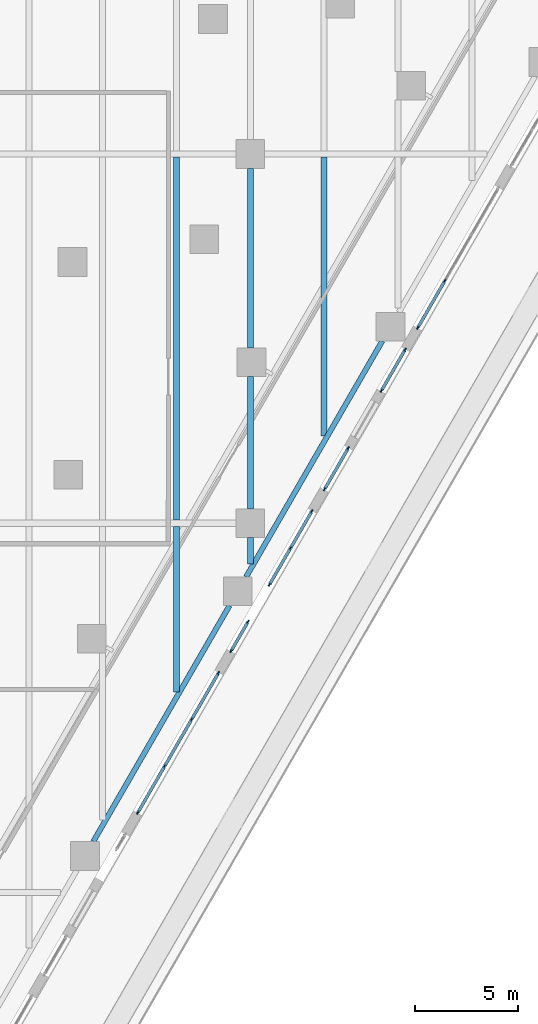
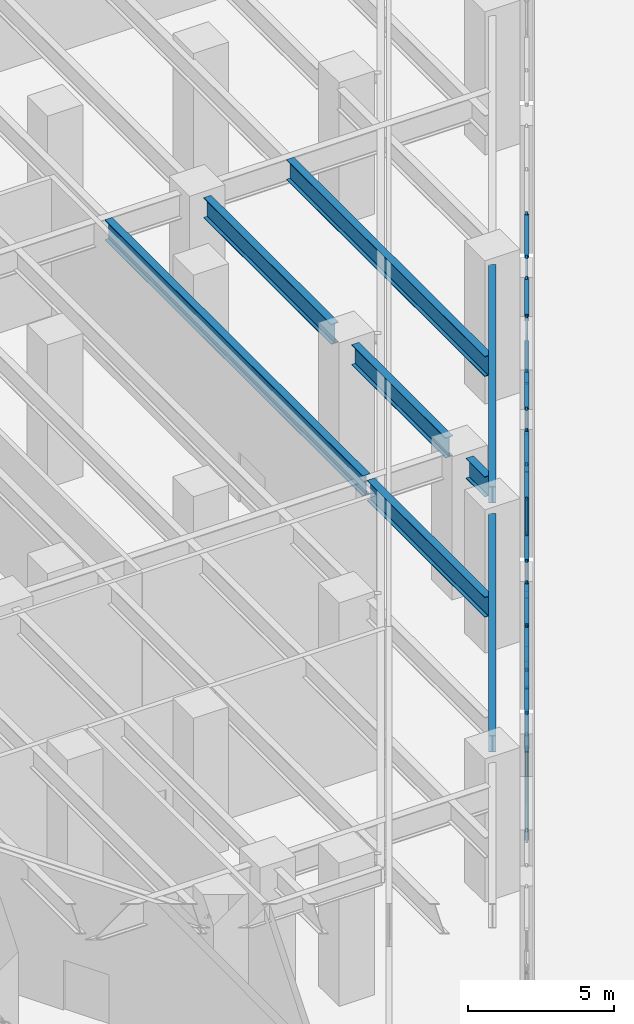
# One storey, part 8 of 40: 42 members, 8 beams, 6 elements without a shape of their own.
"""IFC4 building model written with IfcOpenShell, lengths in metres."""

from ifc_helpers import new_model, si_unit, direction, frame, origin, origin_2d, place, context, subcontext, project, spatial, rectangle, i_section, extrude, material, material_profile, profile_set, type_object, element, aggregate, save


model = new_model("IFC4")

# Units and contexts
model_context = context("Model", 3, precision=1e-05, world=origin(), true_north=direction((0.0, 1.0)))
body_context = subcontext(model_context, "Body", "Model", "MODEL_VIEW")
ifc_project = project(units=[si_unit("LENGTHUNIT", "METRE"), si_unit("AREAUNIT", "SQUARE_METRE"), si_unit("VOLUMEUNIT", "CUBIC_METRE"), si_unit("PLANEANGLEUNIT", "RADIAN"), si_unit("MASSUNIT", "GRAM", prefix="KILO")], contexts=[model_context])

# Site, building, storey
site_placement = place(None, origin())
site = spatial("IfcSite", under=ifc_project, at=site_placement, CompositionType="ELEMENT")
building_placement = place(site_placement, origin())
building = spatial("IfcBuilding", under=site, at=building_placement, Name="Aloe Facet Convention Tower", CompositionType="ELEMENT")
storey_placement = place(building_placement, frame((0.0, 0.0, 13.5)))
storey = spatial("IfcBuildingStorey", under=building, at=storey_placement, Name="L02", CompositionType="ELEMENT", Elevation=13.5)

# Curtain wall, members
ifc_material_1 = material(Name="Aluminium, anodised", Category="aluminium")
curtain_wall_type = type_object("IfcCurtainWallType", Name="EV-CW-HALL", PredefinedType="USERDEFINED", material=ifc_material_1)
curtain_wall_1_placement = place(storey_placement, origin())
curtain_wall_1 = element("IfcCurtainWall", 1, at=curtain_wall_1_placement, inside=storey, type_object=curtain_wall_type, Name="CW-L02-E06", ObjectType="UNITISED HALL GLAZING", PredefinedType="USERDEFINED")
ifc_material_2 = material(Name="Aluminium, anodised", Category="aluminium")
ifc_material_profile_1 = material_profile(ifc_material_2, rectangle(XDim=0.06494140625, YDim=0.199951171875, at=origin_2d()), Name="AL 65x200")
ifc_profile_set_1 = profile_set([ifc_material_profile_1], Name="Aluminium, anodised")
member_type_1 = type_object("IfcMemberType", Name="EV-MULL-HALL", PredefinedType="MULLION", material=ifc_profile_set_1)
member_1_placement = place(storey_placement, frame((92.520263671875, 66.90625, -0.300048828125), z_axis=(0.0, 0.0, 1.0), x_axis=(-0.866025403811, 0.499999999955, 0.0)))
member_1 = element("IfcMember", 2, at=member_1_placement, type_object=member_type_1, Name="CW-L02-E06 mullion 1", PredefinedType="MULLION", context=body_context, shape_type="SweptSolid", body=[
    extrude(rectangle(XDim=0.06494140625, YDim=0.199951171875, at=origin_2d()), origin(), (0.0, 0.0, 1.0), 5.362548828125),
])
member_2_placement = place(storey_placement, frame((93.8203125, 69.158203125, -0.300048828125), z_axis=(0.0, 0.0, 1.0), x_axis=(-0.866025403811, 0.499999999955, 0.0)))
member_2 = element("IfcMember", 3, at=member_2_placement, type_object=member_type_1, Name="CW-L02-E06 mullion 2", PredefinedType="MULLION", context=body_context, shape_type="SweptSolid", body=[
    extrude(rectangle(XDim=0.06494140625, YDim=0.199951171875, at=origin_2d()), origin(), (0.0, 0.0, 1.0), 5.362548828125),
])
member_3_placement = place(storey_placement, frame((95.136962890625, 71.4384765625, -0.300048828125), z_axis=(0.0, 0.0, 1.0), x_axis=(-0.866025403811, 0.499999999955, 0.0)))
member_3 = element("IfcMember", 4, at=member_3_placement, type_object=member_type_1, Name="CW-L02-E06 mullion 3", PredefinedType="MULLION", context=body_context, shape_type="SweptSolid", body=[
    extrude(rectangle(XDim=0.06494140625, YDim=0.199951171875, at=origin_2d()), origin(), (0.0, 0.0, 1.0), 5.362548828125),
])
member_4_placement = place(storey_placement, frame((96.43701171875, 73.6904296875, -0.300048828125), z_axis=(0.0, 0.0, 1.0), x_axis=(-0.866025403811, 0.499999999955, 0.0)))
member_4 = element("IfcMember", 5, at=member_4_placement, type_object=member_type_1, Name="CW-L02-E06 mullion 4", PredefinedType="MULLION", context=body_context, shape_type="SweptSolid", body=[
    extrude(rectangle(XDim=0.06494140625, YDim=0.199951171875, at=origin_2d()), origin(), (0.0, 0.0, 1.0), 5.362548828125),
])

curtain_wall_2_placement = place(storey_placement, origin())
curtain_wall_2 = element("IfcCurtainWall", 6, at=curtain_wall_2_placement, inside=storey, type_object=curtain_wall_type, Name="CW-L02-E08-1", ObjectType="UNITISED HALL GLAZING", PredefinedType="USERDEFINED")
member_5_placement = place(storey_placement, frame((97.069580078125, 74.785888671875, -0.300048828125), z_axis=(0.0, 0.0, 1.0), x_axis=(-0.866025403732, 0.500000000091, 0.0)))
member_5 = element("IfcMember", 7, at=member_5_placement, type_object=member_type_1, Name="CW-L02-E08-1 mullion 1", PredefinedType="MULLION", context=body_context, shape_type="SweptSolid", body=[
    extrude(rectangle(XDim=0.06494140625, YDim=0.199951171875, at=origin_2d()), origin(), (0.0, 0.0, 1.0), 5.362548828125),
])
member_6_placement = place(storey_placement, frame((97.876220703125, 76.18310546875, -0.300048828125), z_axis=(0.0, 0.0, 1.0), x_axis=(-0.866025403732, 0.500000000091, 0.0)))
member_6 = element("IfcMember", 8, at=member_6_placement, type_object=member_type_1, Name="CW-L02-E08-1 mullion 2", PredefinedType="MULLION", context=body_context, shape_type="SweptSolid", body=[
    extrude(rectangle(XDim=0.06494140625, YDim=0.199951171875, at=origin_2d()), origin(), (0.0, 0.0, 1.0), 5.362548828125),
])

curtain_wall_3_placement = place(storey_placement, origin())
curtain_wall_3 = element("IfcCurtainWall", 9, at=curtain_wall_3_placement, inside=storey, type_object=curtain_wall_type, Name="CW-L02-E08-2", ObjectType="UNITISED HALL GLAZING", PredefinedType="USERDEFINED")
member_7_placement = place(storey_placement, frame((98.93310546875, 78.013916015625, -0.300048828125), z_axis=(0.0, 0.0, 1.0), x_axis=(-0.866025403819, 0.49999999994, 0.0)))
member_7 = element("IfcMember", 10, at=member_7_placement, type_object=member_type_1, Name="CW-L02-E08-2 mullion 1", PredefinedType="MULLION", context=body_context, shape_type="SweptSolid", body=[
    extrude(rectangle(XDim=0.06494140625, YDim=0.199951171875, at=origin_2d()), origin(), (0.0, 0.0, 1.0), 5.362548828125),
])
member_8_placement = place(storey_placement, frame((99.9599609375, 79.7919921875, -0.300048828125), z_axis=(0.0, 0.0, 1.0), x_axis=(-0.866025403819, 0.49999999994, 0.0)))
member_8 = element("IfcMember", 11, at=member_8_placement, type_object=member_type_1, Name="CW-L02-E08-2 mullion 2", PredefinedType="MULLION", context=body_context, shape_type="SweptSolid", body=[
    extrude(rectangle(XDim=0.06494140625, YDim=0.199951171875, at=origin_2d()), origin(), (0.0, 0.0, 1.0), 5.362548828125),
])
member_9_placement = place(storey_placement, frame((100.986572265625, 81.5703125, -0.300048828125), z_axis=(0.0, 0.0, 1.0), x_axis=(-0.866025403819, 0.49999999994, 0.0)))
member_9 = element("IfcMember", 12, at=member_9_placement, type_object=member_type_1, Name="CW-L02-E08-2 mullion 3", PredefinedType="MULLION", context=body_context, shape_type="SweptSolid", body=[
    extrude(rectangle(XDim=0.06494140625, YDim=0.199951171875, at=origin_2d()), origin(), (0.0, 0.0, 1.0), 5.362548828125),
])

curtain_wall_4_placement = place(storey_placement, origin())
curtain_wall_4 = element("IfcCurtainWall", 13, at=curtain_wall_4_placement, inside=storey, type_object=curtain_wall_type, Name="CW-L02-E10A", ObjectType="UNITISED HALL GLAZING", PredefinedType="USERDEFINED")
member_10_placement = place(storey_placement, frame((101.618896484375, 82.665771484375, -0.300048828125), z_axis=(0.0, 0.0, 1.0), x_axis=(-0.866025403654, 0.500000000227, 0.0)))
member_10 = element("IfcMember", 14, at=member_10_placement, type_object=member_type_1, Name="CW-L02-E10A mullion 1", PredefinedType="MULLION", context=body_context, shape_type="SweptSolid", body=[
    extrude(rectangle(XDim=0.06494140625, YDim=0.199951171875, at=origin_2d()), origin(), (0.0, 0.0, 1.0), 5.362548828125),
])
member_11_placement = place(storey_placement, frame((102.76123046875, 84.64404296875, -0.300048828125), z_axis=(0.0, 0.0, 1.0), x_axis=(-0.866025403654, 0.500000000227, 0.0)))
member_11 = element("IfcMember", 15, at=member_11_placement, type_object=member_type_1, Name="CW-L02-E10A mullion 2", PredefinedType="MULLION", context=body_context, shape_type="SweptSolid", body=[
    extrude(rectangle(XDim=0.06494140625, YDim=0.199951171875, at=origin_2d()), origin(), (0.0, 0.0, 1.0), 5.362548828125),
])

curtain_wall_5_placement = place(storey_placement, origin())
curtain_wall_5 = element("IfcCurtainWall", 16, at=curtain_wall_5_placement, inside=storey, type_object=curtain_wall_type, Name="CW-L02-E10B", ObjectType="UNITISED HALL GLAZING", PredefinedType="USERDEFINED")
member_12_placement = place(storey_placement, frame((104.393798828125, 87.4716796875, -0.300048828125), z_axis=(0.0, 0.0, 1.0), x_axis=(-0.866025403837, 0.499999999909, 0.0)))
member_12 = element("IfcMember", 17, at=member_12_placement, type_object=member_type_1, Name="CW-L02-E10B mullion 1", PredefinedType="MULLION", context=body_context, shape_type="SweptSolid", body=[
    extrude(rectangle(XDim=0.06494140625, YDim=0.199951171875, at=origin_2d()), origin(), (0.0, 0.0, 1.0), 5.362548828125),
])
member_13_placement = place(storey_placement, frame((105.535888671875, 89.449951171875, -0.300048828125), z_axis=(0.0, 0.0, 1.0), x_axis=(-0.866025403837, 0.499999999909, 0.0)))
member_13 = element("IfcMember", 18, at=member_13_placement, type_object=member_type_1, Name="CW-L02-E10B mullion 2", PredefinedType="MULLION", context=body_context, shape_type="SweptSolid", body=[
    extrude(rectangle(XDim=0.06494140625, YDim=0.199951171875, at=origin_2d()), origin(), (0.0, 0.0, 1.0), 5.362548828125),
])

curtain_wall_6_placement = place(storey_placement, origin())
curtain_wall_6 = element("IfcCurtainWall", 19, at=curtain_wall_6_placement, inside=storey, type_object=curtain_wall_type, Name="CW-L02-E12", ObjectType="UNITISED HALL GLAZING", PredefinedType="USERDEFINED")
member_14_placement = place(storey_placement, frame((106.16845703125, 90.54541015625, -0.300048828125), z_axis=(0.0, 0.0, 1.0), x_axis=(-0.866025403758, 0.500000000045, 0.0)))
member_14 = element("IfcMember", 20, at=member_14_placement, type_object=member_type_1, Name="CW-L02-E12 mullion 1", PredefinedType="MULLION", context=body_context, shape_type="SweptSolid", body=[
    extrude(rectangle(XDim=0.06494140625, YDim=0.199951171875, at=origin_2d()), origin(), (0.0, 0.0, 1.0), 5.362548828125),
])
member_15_placement = place(storey_placement, frame((107.468505859375, 92.797607421875, -0.300048828125), z_axis=(0.0, 0.0, 1.0), x_axis=(-0.866025403758, 0.500000000045, 0.0)))
member_15 = element("IfcMember", 21, at=member_15_placement, type_object=member_type_1, Name="CW-L02-E12 mullion 2", PredefinedType="MULLION", context=body_context, shape_type="SweptSolid", body=[
    extrude(rectangle(XDim=0.06494140625, YDim=0.199951171875, at=origin_2d()), origin(), (0.0, 0.0, 1.0), 5.362548828125),
])

# Member
ifc_material_3 = material(Name="Aluminium, anodised", Category="aluminium")
ifc_material_profile_2 = material_profile(ifc_material_3, rectangle(XDim=0.159912109375, YDim=0.06494140625, at=origin_2d()), Name="AL 160x65")
ifc_profile_set_2 = profile_set([ifc_material_profile_2], Name="Aluminium, anodised")
member_type_2 = type_object("IfcMemberType", Name="EV-TRAN-HALL", PredefinedType="USERDEFINED", material=ifc_profile_set_2)
member_16_placement = place(storey_placement, frame((92.536376953125, 66.934326171875, -0.267578125), z_axis=(0.500022507987, 0.866012408402, 0.0), x_axis=(-0.866012408402, 0.500022507987, 0.0)))
member_16 = element("IfcMember", 22, at=member_16_placement, type_object=member_type_2, Name="CW-L02-E06 transom 1.1", ObjectType="TRANSOM", PredefinedType="USERDEFINED", context=body_context, shape_type="SweptSolid", body=[
    extrude(rectangle(XDim=0.159912109375, YDim=0.06494140625, at=origin_2d()), origin(), (0.0, 0.0, 1.0), 2.53564453125),
])

member_17_placement = place(storey_placement, frame((92.536376953125, 66.934326171875, 2.38134765625), z_axis=(0.500022507987, 0.866012408402, 0.0), x_axis=(-0.866012408402, 0.500022507987, 0.0)))
member_17 = element("IfcMember", 23, at=member_17_placement, type_object=member_type_2, Name="CW-L02-E06 transom 1.2", ObjectType="TRANSOM", PredefinedType="USERDEFINED", context=body_context, shape_type="SweptSolid", body=[
    extrude(rectangle(XDim=0.159912109375, YDim=0.06494140625, at=origin_2d()), origin(), (0.0, 0.0, 1.0), 2.53564453125),
])

member_18_placement = place(storey_placement, frame((92.536376953125, 66.934326171875, 5.030029296875), z_axis=(0.500022507987, 0.866012408402, 0.0), x_axis=(-0.866012408402, 0.500022507987, 0.0)))
member_18 = element("IfcMember", 24, at=member_18_placement, type_object=member_type_2, Name="CW-L02-E06 transom 1.3", ObjectType="TRANSOM", PredefinedType="USERDEFINED", context=body_context, shape_type="SweptSolid", body=[
    extrude(rectangle(XDim=0.159912109375, YDim=0.06494140625, at=origin_2d()), origin(), (0.0, 0.0, 1.0), 2.53564453125),
])

member_19_placement = place(storey_placement, frame((93.836669921875, 69.186279296875, -0.267578125), z_axis=(0.499994038704, 0.866028845513, 0.0), x_axis=(-0.866028845513, 0.499994038704, 0.0)))
member_19 = element("IfcMember", 25, at=member_19_placement, type_object=member_type_2, Name="CW-L02-E06 transom 2.1", ObjectType="TRANSOM", PredefinedType="USERDEFINED", context=body_context, shape_type="SweptSolid", body=[
    extrude(rectangle(XDim=0.159912109375, YDim=0.06494140625, at=origin_2d()), origin(), (0.0, 0.0, 1.0), 2.56787109375),
])

member_20_placement = place(storey_placement, frame((93.836669921875, 69.186279296875, 2.38134765625), z_axis=(0.499994038704, 0.866028845513, 0.0), x_axis=(-0.866028845513, 0.499994038704, 0.0)))
member_20 = element("IfcMember", 26, at=member_20_placement, type_object=member_type_2, Name="CW-L02-E06 transom 2.2", ObjectType="TRANSOM", PredefinedType="USERDEFINED", context=body_context, shape_type="SweptSolid", body=[
    extrude(rectangle(XDim=0.159912109375, YDim=0.06494140625, at=origin_2d()), origin(), (0.0, 0.0, 1.0), 2.56787109375),
])

member_21_placement = place(storey_placement, frame((93.836669921875, 69.186279296875, 5.030029296875), z_axis=(0.499994038704, 0.866028845513, 0.0), x_axis=(-0.866028845513, 0.499994038704, 0.0)))
member_21 = element("IfcMember", 27, at=member_21_placement, type_object=member_type_2, Name="CW-L02-E06 transom 2.3", ObjectType="TRANSOM", PredefinedType="USERDEFINED", context=body_context, shape_type="SweptSolid", body=[
    extrude(rectangle(XDim=0.159912109375, YDim=0.06494140625, at=origin_2d()), origin(), (0.0, 0.0, 1.0), 2.56787109375),
])

member_22_placement = place(storey_placement, frame((95.153076171875, 71.466552734375, -0.267578125), z_axis=(0.500022507987, 0.866012408402, 0.0), x_axis=(-0.866012408402, 0.500022507987, 0.0)))
member_22 = element("IfcMember", 28, at=member_22_placement, type_object=member_type_2, Name="CW-L02-E06 transom 3.1", ObjectType="TRANSOM", PredefinedType="USERDEFINED", context=body_context, shape_type="SweptSolid", body=[
    extrude(rectangle(XDim=0.159912109375, YDim=0.06494140625, at=origin_2d()), origin(), (0.0, 0.0, 1.0), 2.53564453125),
])

member_23_placement = place(storey_placement, frame((95.153076171875, 71.466552734375, 2.38134765625), z_axis=(0.500022507987, 0.866012408402, 0.0), x_axis=(-0.866012408402, 0.500022507987, 0.0)))
member_23 = element("IfcMember", 29, at=member_23_placement, type_object=member_type_2, Name="CW-L02-E06 transom 3.2", ObjectType="TRANSOM", PredefinedType="USERDEFINED", context=body_context, shape_type="SweptSolid", body=[
    extrude(rectangle(XDim=0.159912109375, YDim=0.06494140625, at=origin_2d()), origin(), (0.0, 0.0, 1.0), 2.53564453125),
])

member_24_placement = place(storey_placement, frame((95.153076171875, 71.466552734375, 5.030029296875), z_axis=(0.500022507987, 0.866012408402, 0.0), x_axis=(-0.866012408402, 0.500022507987, 0.0)))
member_24 = element("IfcMember", 30, at=member_24_placement, type_object=member_type_2, Name="CW-L02-E06 transom 3.3", ObjectType="TRANSOM", PredefinedType="USERDEFINED", context=body_context, shape_type="SweptSolid", body=[
    extrude(rectangle(XDim=0.159912109375, YDim=0.06494140625, at=origin_2d()), origin(), (0.0, 0.0, 1.0), 2.53564453125),
])

aggregate(curtain_wall_1, [member_1, member_2, member_3, member_4, member_16, member_17, member_18, member_19, member_20, member_21, member_22, member_23, member_24])

member_25_placement = place(storey_placement, frame((97.0859375, 74.81396484375, -0.267578125), z_axis=(0.499904469662, 0.866080551226, 0.0), x_axis=(-0.866080551226, 0.499904469662, 0.0)))
member_25 = element("IfcMember", 31, at=member_25_placement, type_object=member_type_2, Name="CW-L02-E08-1 transom 1.1", ObjectType="TRANSOM", PredefinedType="USERDEFINED", context=body_context, shape_type="SweptSolid", body=[
    extrude(rectangle(XDim=0.159912109375, YDim=0.06494140625, at=origin_2d()), origin(), (0.0, 0.0, 1.0), 1.548095703125),
])

member_26_placement = place(storey_placement, frame((97.0859375, 74.81396484375, 2.38134765625), z_axis=(0.499904469662, 0.866080551226, 0.0), x_axis=(-0.866080551226, 0.499904469662, 0.0)))
member_26 = element("IfcMember", 32, at=member_26_placement, type_object=member_type_2, Name="CW-L02-E08-1 transom 1.2", ObjectType="TRANSOM", PredefinedType="USERDEFINED", context=body_context, shape_type="SweptSolid", body=[
    extrude(rectangle(XDim=0.159912109375, YDim=0.06494140625, at=origin_2d()), origin(), (0.0, 0.0, 1.0), 1.548095703125),
])

member_27_placement = place(storey_placement, frame((97.0859375, 74.81396484375, 5.030029296875), z_axis=(0.499904469662, 0.866080551226, 0.0), x_axis=(-0.866080551226, 0.499904469662, 0.0)))
member_27 = element("IfcMember", 33, at=member_27_placement, type_object=member_type_2, Name="CW-L02-E08-1 transom 1.3", ObjectType="TRANSOM", PredefinedType="USERDEFINED", context=body_context, shape_type="SweptSolid", body=[
    extrude(rectangle(XDim=0.159912109375, YDim=0.06494140625, at=origin_2d()), origin(), (0.0, 0.0, 1.0), 1.548095703125),
])

aggregate(curtain_wall_2, [member_5, member_6, member_25, member_26, member_27])

member_28_placement = place(storey_placement, frame((98.949462890625, 78.0419921875, -0.267578125), z_axis=(0.499995262016, 0.866028139243, 0.0), x_axis=(-0.866028139243, 0.499995262016, 0.0)))
member_28 = element("IfcMember", 34, at=member_28_placement, type_object=member_type_2, Name="CW-L02-E08-2 transom 1.1", ObjectType="TRANSOM", PredefinedType="USERDEFINED", context=body_context, shape_type="SweptSolid", body=[
    extrude(rectangle(XDim=0.159912109375, YDim=0.06494140625, at=origin_2d()), origin(), (0.0, 0.0, 1.0), 1.98828125),
])

member_29_placement = place(storey_placement, frame((98.949462890625, 78.0419921875, 2.38134765625), z_axis=(0.499995262016, 0.866028139243, 0.0), x_axis=(-0.866028139243, 0.499995262016, 0.0)))
member_29 = element("IfcMember", 35, at=member_29_placement, type_object=member_type_2, Name="CW-L02-E08-2 transom 1.2", ObjectType="TRANSOM", PredefinedType="USERDEFINED", context=body_context, shape_type="SweptSolid", body=[
    extrude(rectangle(XDim=0.159912109375, YDim=0.06494140625, at=origin_2d()), origin(), (0.0, 0.0, 1.0), 1.98828125),
])

member_30_placement = place(storey_placement, frame((98.949462890625, 78.0419921875, 5.030029296875), z_axis=(0.499995262016, 0.866028139243, 0.0), x_axis=(-0.866028139243, 0.499995262016, 0.0)))
member_30 = element("IfcMember", 36, at=member_30_placement, type_object=member_type_2, Name="CW-L02-E08-2 transom 1.3", ObjectType="TRANSOM", PredefinedType="USERDEFINED", context=body_context, shape_type="SweptSolid", body=[
    extrude(rectangle(XDim=0.159912109375, YDim=0.06494140625, at=origin_2d()), origin(), (0.0, 0.0, 1.0), 1.98828125),
])

member_31_placement = place(storey_placement, frame((99.97607421875, 79.820068359375, -0.267578125), z_axis=(0.499995262016, 0.866028139243, 0.0), x_axis=(-0.866028139243, 0.499995262016, 0.0)))
member_31 = element("IfcMember", 37, at=member_31_placement, type_object=member_type_2, Name="CW-L02-E08-2 transom 2.1", ObjectType="TRANSOM", PredefinedType="USERDEFINED", context=body_context, shape_type="SweptSolid", body=[
    extrude(rectangle(XDim=0.159912109375, YDim=0.06494140625, at=origin_2d()), origin(), (0.0, 0.0, 1.0), 1.98828125),
])

member_32_placement = place(storey_placement, frame((99.97607421875, 79.820068359375, 2.38134765625), z_axis=(0.499995262016, 0.866028139243, 0.0), x_axis=(-0.866028139243, 0.499995262016, 0.0)))
member_32 = element("IfcMember", 38, at=member_32_placement, type_object=member_type_2, Name="CW-L02-E08-2 transom 2.2", ObjectType="TRANSOM", PredefinedType="USERDEFINED", context=body_context, shape_type="SweptSolid", body=[
    extrude(rectangle(XDim=0.159912109375, YDim=0.06494140625, at=origin_2d()), origin(), (0.0, 0.0, 1.0), 1.98828125),
])

member_33_placement = place(storey_placement, frame((99.97607421875, 79.820068359375, 5.030029296875), z_axis=(0.499995262016, 0.866028139243, 0.0), x_axis=(-0.866028139243, 0.499995262016, 0.0)))
member_33 = element("IfcMember", 39, at=member_33_placement, type_object=member_type_2, Name="CW-L02-E08-2 transom 2.3", ObjectType="TRANSOM", PredefinedType="USERDEFINED", context=body_context, shape_type="SweptSolid", body=[
    extrude(rectangle(XDim=0.159912109375, YDim=0.06494140625, at=origin_2d()), origin(), (0.0, 0.0, 1.0), 1.98828125),
])

aggregate(curtain_wall_3, [member_7, member_8, member_9, member_28, member_29, member_30, member_31, member_32, member_33])

member_34_placement = place(storey_placement, frame((101.63525390625, 82.69384765625, -0.267578125), z_axis=(0.49996050843, 0.866048203052, 0.0), x_axis=(-0.866048203052, 0.49996050843, 0.0)))
member_34 = element("IfcMember", 40, at=member_34_placement, type_object=member_type_2, Name="CW-L02-E10A transom 1.1", ObjectType="TRANSOM", PredefinedType="USERDEFINED", context=body_context, shape_type="SweptSolid", body=[
    extrude(rectangle(XDim=0.159912109375, YDim=0.06494140625, at=origin_2d()), origin(), (0.0, 0.0, 1.0), 2.219482421875),
])

member_35_placement = place(storey_placement, frame((101.63525390625, 82.69384765625, 2.38134765625), z_axis=(0.49996050843, 0.866048203052, 0.0), x_axis=(-0.866048203052, 0.49996050843, 0.0)))
member_35 = element("IfcMember", 41, at=member_35_placement, type_object=member_type_2, Name="CW-L02-E10A transom 1.2", ObjectType="TRANSOM", PredefinedType="USERDEFINED", context=body_context, shape_type="SweptSolid", body=[
    extrude(rectangle(XDim=0.159912109375, YDim=0.06494140625, at=origin_2d()), origin(), (0.0, 0.0, 1.0), 2.219482421875),
])

member_36_placement = place(storey_placement, frame((101.63525390625, 82.69384765625, 5.030029296875), z_axis=(0.49996050843, 0.866048203052, 0.0), x_axis=(-0.866048203052, 0.49996050843, 0.0)))
member_36 = element("IfcMember", 42, at=member_36_placement, type_object=member_type_2, Name="CW-L02-E10A transom 1.3", ObjectType="TRANSOM", PredefinedType="USERDEFINED", context=body_context, shape_type="SweptSolid", body=[
    extrude(rectangle(XDim=0.159912109375, YDim=0.06494140625, at=origin_2d()), origin(), (0.0, 0.0, 1.0), 2.219482421875),
])

aggregate(curtain_wall_4, [member_10, member_11, member_34, member_35, member_36])

member_37_placement = place(storey_placement, frame((104.409912109375, 87.499755859375, -0.267578125), z_axis=(0.49996050843, 0.866048203052, 0.0), x_axis=(-0.866048203052, 0.49996050843, 0.0)))
member_37 = element("IfcMember", 43, at=member_37_placement, type_object=member_type_2, Name="CW-L02-E10B transom 1.1", ObjectType="TRANSOM", PredefinedType="USERDEFINED", context=body_context, shape_type="SweptSolid", body=[
    extrude(rectangle(XDim=0.159912109375, YDim=0.06494140625, at=origin_2d()), origin(), (0.0, 0.0, 1.0), 2.219482421875),
])

member_38_placement = place(storey_placement, frame((104.409912109375, 87.499755859375, 2.38134765625), z_axis=(0.49996050843, 0.866048203052, 0.0), x_axis=(-0.866048203052, 0.49996050843, 0.0)))
member_38 = element("IfcMember", 44, at=member_38_placement, type_object=member_type_2, Name="CW-L02-E10B transom 1.2", ObjectType="TRANSOM", PredefinedType="USERDEFINED", context=body_context, shape_type="SweptSolid", body=[
    extrude(rectangle(XDim=0.159912109375, YDim=0.06494140625, at=origin_2d()), origin(), (0.0, 0.0, 1.0), 2.219482421875),
])

member_39_placement = place(storey_placement, frame((104.409912109375, 87.499755859375, 5.030029296875), z_axis=(0.49996050843, 0.866048203052, 0.0), x_axis=(-0.866048203052, 0.49996050843, 0.0)))
member_39 = element("IfcMember", 45, at=member_39_placement, type_object=member_type_2, Name="CW-L02-E10B transom 1.3", ObjectType="TRANSOM", PredefinedType="USERDEFINED", context=body_context, shape_type="SweptSolid", body=[
    extrude(rectangle(XDim=0.159912109375, YDim=0.06494140625, at=origin_2d()), origin(), (0.0, 0.0, 1.0), 2.219482421875),
])

aggregate(curtain_wall_5, [member_12, member_13, member_37, member_38, member_39])

member_40_placement = place(storey_placement, frame((106.1845703125, 90.57373046875, -0.267578125), z_axis=(0.500022507987, 0.866012408402, 0.0), x_axis=(-0.866012408402, 0.500022507987, 0.0)))
member_40 = element("IfcMember", 46, at=member_40_placement, type_object=member_type_2, Name="CW-L02-E12 transom 1.1", ObjectType="TRANSOM", PredefinedType="USERDEFINED", context=body_context, shape_type="SweptSolid", body=[
    extrude(rectangle(XDim=0.159912109375, YDim=0.06494140625, at=origin_2d()), origin(), (0.0, 0.0, 1.0), 2.53564453125),
])

member_41_placement = place(storey_placement, frame((106.1845703125, 90.57373046875, 2.38134765625), z_axis=(0.500022507987, 0.866012408402, 0.0), x_axis=(-0.866012408402, 0.500022507987, 0.0)))
member_41 = element("IfcMember", 47, at=member_41_placement, type_object=member_type_2, Name="CW-L02-E12 transom 1.2", ObjectType="TRANSOM", PredefinedType="USERDEFINED", context=body_context, shape_type="SweptSolid", body=[
    extrude(rectangle(XDim=0.159912109375, YDim=0.06494140625, at=origin_2d()), origin(), (0.0, 0.0, 1.0), 2.53564453125),
])

member_42_placement = place(storey_placement, frame((106.1845703125, 90.57373046875, 5.030029296875), z_axis=(0.500022507987, 0.866012408402, 0.0), x_axis=(-0.866012408402, 0.500022507987, 0.0)))
member_42 = element("IfcMember", 48, at=member_42_placement, type_object=member_type_2, Name="CW-L02-E12 transom 1.3", ObjectType="TRANSOM", PredefinedType="USERDEFINED", context=body_context, shape_type="SweptSolid", body=[
    extrude(rectangle(XDim=0.159912109375, YDim=0.06494140625, at=origin_2d()), origin(), (0.0, 0.0, 1.0), 2.53564453125),
])

aggregate(curtain_wall_6, [member_14, member_15, member_40, member_41, member_42])

# Beams
ifc_material_4 = material(Name="Steel S355", Category="steel")
ifc_material_profile_3 = material_profile(ifc_material_4, i_section(OverallWidth=0.25439453125, OverallDepth=0.6875, WebThickness=0.01318359375, FlangeThickness=0.02099609375, FilletRadius=0.01513671875, at=origin_2d()), Name="UB 686x254x152")
ifc_profile_set_3 = profile_set([ifc_material_profile_3], Name="Steel S355")
beam_type_1 = type_object("IfcBeamType", Name="SF-B-UB686x254x152", PredefinedType="BEAM", material=ifc_profile_set_3)
beam_1_placement = place(storey_placement, frame((96.98291015625, 76.986083984375, 5.40625), z_axis=(-0.499993007805, -0.866029440693, 0.0), x_axis=(0.866029440693, -0.499993007805, 0.0)))
element("IfcBeam", 49, at=beam_1_placement, inside=storey, type_object=beam_type_1, Name="Floor beam FB-L03-016", PredefinedType="BEAM", context=body_context, shape_type="SweptSolid", body=[
    extrude(i_section(OverallWidth=0.25439453125, OverallDepth=0.6875, WebThickness=0.01318359375, FlangeThickness=0.02099609375, FilletRadius=0.01513671875, at=origin_2d()), origin(), (0.0, 0.0, 1.0), 13.279052734375),
])
beam_2_placement = place(storey_placement, frame((104.430419921875, 89.885009765625, 5.40625), z_axis=(-0.500011064058, -0.866019015853, 0.0), x_axis=(0.866019015853, -0.500011064058, 0.0)))
element("IfcBeam", 50, at=beam_2_placement, inside=storey, type_object=beam_type_1, Name="Floor beam FB-L03-017", PredefinedType="BEAM", context=body_context, shape_type="SweptSolid", body=[
    extrude(i_section(OverallWidth=0.25439453125, OverallDepth=0.6875, WebThickness=0.01318359375, FlangeThickness=0.02099609375, FilletRadius=0.01513671875, at=origin_2d()), origin(), (0.0, 0.0, 1.0), 13.278076171875),
])
ifc_material_5 = material(Name="Steel S355", Category="steel")
ifc_material_profile_4 = material_profile(ifc_material_5, i_section(OverallWidth=0.293701171875, OverallDepth=0.850830078125, WebThickness=0.01611328125, FlangeThickness=0.02685546875, FilletRadius=0.017822265625, at=origin_2d()), Name="UB 838x292x226")
ifc_profile_set_4 = profile_set([ifc_material_profile_4], Name="Steel S355")
beam_type_2 = type_object("IfcBeamType", Name="SF-B-UB838x292x226", PredefinedType="BEAM", material=ifc_profile_set_4)
beam_3_placement = place(storey_placement, frame((94.39990234375, 72.776611328125, 5.324462890625), z_axis=(0.0, 1.0, 0.0), x_axis=(-1.0, 0.0, 0.0)))
element("IfcBeam", 51, at=beam_3_placement, inside=storey, type_object=beam_type_2, Name="Floor beam FB-L03-109", PredefinedType="BEAM", context=body_context, shape_type="SweptSolid", body=[
    extrude(i_section(OverallWidth=0.293701171875, OverallDepth=0.850830078125, WebThickness=0.01611328125, FlangeThickness=0.02685546875, FilletRadius=0.017822265625, at=origin_2d()), origin(), (0.0, 0.0, 1.0), 8.07080078125),
])
beam_4_placement = place(storey_placement, frame((94.39990234375, 81.152587890625, 5.324462890625), z_axis=(0.0, 1.0, 0.0), x_axis=(-1.0, 0.0, 0.0)))
element("IfcBeam", 52, at=beam_4_placement, inside=storey, type_object=beam_type_2, Name="Floor beam FB-L03-110", PredefinedType="BEAM", context=body_context, shape_type="SweptSolid", body=[
    extrude(i_section(OverallWidth=0.293701171875, OverallDepth=0.850830078125, WebThickness=0.01611328125, FlangeThickness=0.02685546875, FilletRadius=0.017822265625, at=origin_2d()), origin(), (0.0, 0.0, 1.0), 17.69482421875),
])
beam_5_placement = place(storey_placement, frame((98.0, 79.011962890625, 5.324462890625), z_axis=(0.0, 1.0, 0.0), x_axis=(-1.0, 0.0, 0.0)))
element("IfcBeam", 53, at=beam_5_placement, inside=storey, type_object=beam_type_2, Name="Floor beam FB-L03-113", PredefinedType="BEAM", context=body_context, shape_type="SweptSolid", body=[
    extrude(i_section(OverallWidth=0.293701171875, OverallDepth=0.850830078125, WebThickness=0.01611328125, FlangeThickness=0.02685546875, FilletRadius=0.017822265625, at=origin_2d()), origin(), (0.0, 0.0, 1.0), 1.2880859375),
])
beam_6_placement = place(storey_placement, frame((98.0, 81.699951171875, 5.324462890625), z_axis=(0.0, 1.0, 0.0), x_axis=(-1.0, 0.0, 0.0)))
element("IfcBeam", 54, at=beam_6_placement, inside=storey, type_object=beam_type_2, Name="Floor beam FB-L03-114", PredefinedType="BEAM", context=body_context, shape_type="SweptSolid", body=[
    extrude(i_section(OverallWidth=0.293701171875, OverallDepth=0.850830078125, WebThickness=0.01611328125, FlangeThickness=0.02685546875, FilletRadius=0.017822265625, at=origin_2d()), origin(), (0.0, 0.0, 1.0), 6.445068359375),
])
beam_7_placement = place(storey_placement, frame((98.0, 89.544921875, 5.324462890625), z_axis=(0.0, 1.0, 0.0), x_axis=(-1.0, 0.0, 0.0)))
element("IfcBeam", 55, at=beam_7_placement, inside=storey, type_object=beam_type_2, Name="Floor beam FB-L03-115", PredefinedType="BEAM", context=body_context, shape_type="SweptSolid", body=[
    extrude(i_section(OverallWidth=0.293701171875, OverallDepth=0.850830078125, WebThickness=0.01611328125, FlangeThickness=0.02685546875, FilletRadius=0.017822265625, at=origin_2d()), origin(), (0.0, 0.0, 1.0), 8.755126953125),
])
beam_8_placement = place(storey_placement, frame((101.60009765625, 85.247314453125, 5.324462890625), z_axis=(0.0, 1.0, 0.0), x_axis=(-1.0, 0.0, 0.0)))
element("IfcBeam", 56, at=beam_8_placement, inside=storey, type_object=beam_type_2, Name="Floor beam FB-L03-118", PredefinedType="BEAM", context=body_context, shape_type="SweptSolid", body=[
    extrude(i_section(OverallWidth=0.293701171875, OverallDepth=0.850830078125, WebThickness=0.01611328125, FlangeThickness=0.02685546875, FilletRadius=0.017822265625, at=origin_2d()), origin(), (0.0, 0.0, 1.0), 13.60009765625),
])

save(model, "model.ifc")
